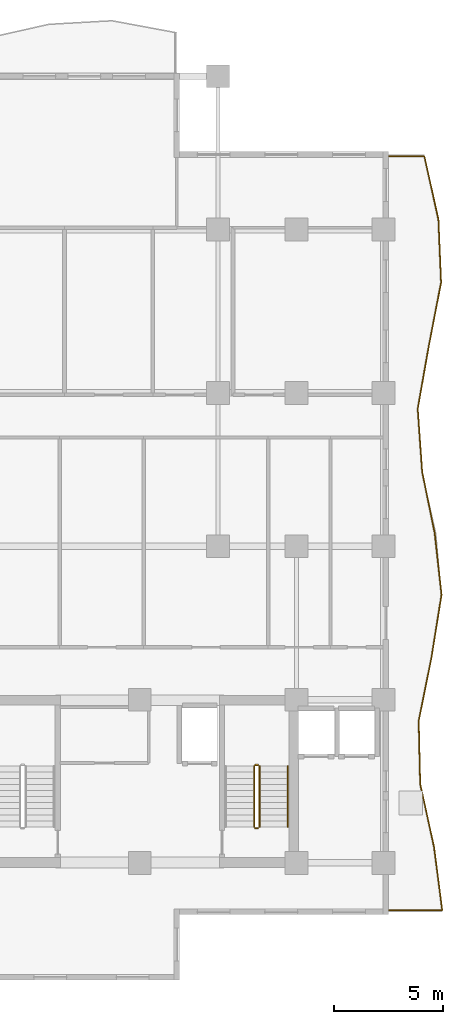
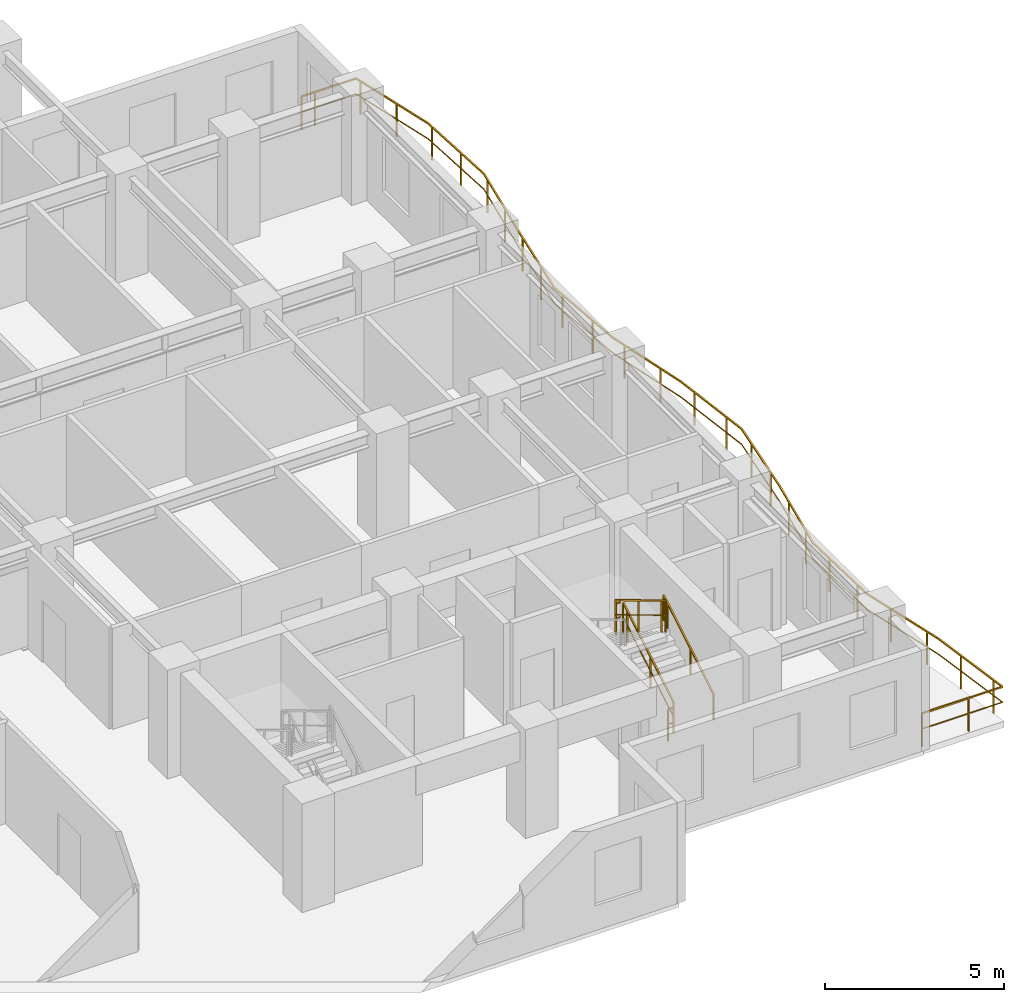
# One storey, part 12 of 13: 6 railings.
"""IFC4 building model written with IfcOpenShell, lengths in metres."""

from ifc_helpers import new_model, si_unit, direction, frame, origin, origin_2d, place, context, subcontext, project, spatial, rectangle, extrude, material, type_object, element, save


model = new_model("IFC4")

# Units and contexts
model_context = context("Model", 3, precision=1e-05, world=origin(), true_north=direction((0.0, 1.0)))
body_context = subcontext(model_context, "Body", "Model", "MODEL_VIEW")
ifc_project = project(units=[si_unit("LENGTHUNIT", "METRE"), si_unit("AREAUNIT", "SQUARE_METRE"), si_unit("VOLUMEUNIT", "CUBIC_METRE"), si_unit("PLANEANGLEUNIT", "RADIAN"), si_unit("MASSUNIT", "GRAM", prefix="KILO")], contexts=[model_context])

# Site, building, storey
site_placement = place(None, origin())
site = spatial("IfcSite", under=ifc_project, at=site_placement, CompositionType="ELEMENT")
building_placement = place(site_placement, origin())
building = spatial("IfcBuilding", under=site, at=building_placement, Name="Kaliganga Portal Commons", CompositionType="ELEMENT")
storey_placement = place(building_placement, frame((0.0, 0.0, 173.5)))
storey = spatial("IfcBuildingStorey", under=building, at=storey_placement, Name="L44", CompositionType="ELEMENT", Elevation=173.5)

# Railings
ifc_material_1 = material(Name="Laminated Safety Glass and Stainless Steel 316", Category="steel")
railing_type_1 = type_object("IfcRailingType", Name="RLG-BAL-1150", PredefinedType="BALUSTRADE", material=ifc_material_1)
railing_1_placement = place(storey_placement, frame((54.50830078125, 4.879638671875, 0.0)))
element("IfcRailing", 1, at=railing_1_placement, inside=storey, type_object=railing_type_1, Name="Balcony Guardrail L44 balc_east", PredefinedType="BALUSTRADE", context=body_context, shape_type="SweptSolid", body=[
    extrude(rectangle(XDim=0.048095703125, YDim=0.048095703125, at=origin_2d()), frame((0.0, 0.0, 1.1259765625), z_axis=(0.99999999555, 9.4339622e-05, 0.0), x_axis=(-9.4339622e-05, 0.99999999555, 0.0)), (0.0, 0.0, 1.0), 2.587890625),
    extrude(rectangle(XDim=0.028076171875, YDim=0.028076171875, at=origin_2d()), frame((0.0, 0.0, 0.597900390625), z_axis=(0.99999999555, 9.4339622e-05, 0.0), x_axis=(-9.4339622e-05, 0.99999999555, 0.0)), (0.0, 0.0, 1.0), 2.587890625),
    extrude(rectangle(XDim=0.048095703125, YDim=0.048095703125, at=origin_2d()), frame((2.587890625, 0.000244140625, 1.1259765625), z_axis=(-0.128400459118, 0.991722401733, 0.0), x_axis=(-0.991722401733, -0.128400459118, 0.0)), (0.0, 0.0, 1.0), 2.92431640625),
    extrude(rectangle(XDim=0.028076171875, YDim=0.028076171875, at=origin_2d()), frame((2.587890625, 0.000244140625, 0.597900390625), z_axis=(-0.128400459118, 0.991722401733, 0.0), x_axis=(-0.991722401733, -0.128400459118, 0.0)), (0.0, 0.0, 1.0), 2.92431640625),
    extrude(rectangle(XDim=0.048095703125, YDim=0.048095703125, at=origin_2d()), frame((2.21240234375, 2.900390625, 1.1259765625), z_axis=(-0.214143216207, 0.976802274236, 0.0), x_axis=(-0.976802274236, -0.214143216207, 0.0)), (0.0, 0.0, 1.0), 2.96875),
    extrude(rectangle(XDim=0.028076171875, YDim=0.028076171875, at=origin_2d()), frame((2.21240234375, 2.900390625, 0.597900390625), z_axis=(-0.214143216207, 0.976802274236, 0.0), x_axis=(-0.976802274236, -0.214143216207, 0.0)), (0.0, 0.0, 1.0), 2.96875),
    extrude(rectangle(XDim=0.048095703125, YDim=0.048095703125, at=origin_2d()), frame((1.57666015625, 5.80029296875, 1.1259765625), z_axis=(-0.023396237328, 0.999726270576, 0.0), x_axis=(-0.999726270576, -0.023396237328, 0.0)), (0.0, 0.0, 1.0), 2.90087890625),
    extrude(rectangle(XDim=0.028076171875, YDim=0.028076171875, at=origin_2d()), frame((1.57666015625, 5.80029296875, 0.597900390625), z_axis=(-0.023396237328, 0.999726270576, 0.0), x_axis=(-0.999726270576, -0.023396237328, 0.0)), (0.0, 0.0, 1.0), 2.90087890625),
    extrude(rectangle(XDim=0.048095703125, YDim=0.048095703125, at=origin_2d()), frame((1.5087890625, 8.700439453125, 1.1259765625), z_axis=(0.197576058239, 0.980287560469, 0.0), x_axis=(-0.980287560469, 0.197576058239, 0.0)), (0.0, 0.0, 1.0), 2.958251953125),
    extrude(rectangle(XDim=0.028076171875, YDim=0.028076171875, at=origin_2d()), frame((1.5087890625, 8.700439453125, 0.597900390625), z_axis=(0.197576058239, 0.980287560469, 0.0), x_axis=(-0.980287560469, 0.197576058239, 0.0)), (0.0, 0.0, 1.0), 2.958251953125),
    extrude(rectangle(XDim=0.048095703125, YDim=0.048095703125, at=origin_2d()), frame((2.09326171875, 11.600341796875, 1.1259765625), z_axis=(0.158337716626, 0.987385014821, 0.0), x_axis=(-0.987385014821, 0.158337716626, 0.0)), (0.0, 0.0, 1.0), 2.934326171875),
    extrude(rectangle(XDim=0.028076171875, YDim=0.028076171875, at=origin_2d()), frame((2.09326171875, 11.600341796875, 0.597900390625), z_axis=(0.158337716626, 0.987385014821, 0.0), x_axis=(-0.987385014821, 0.158337716626, 0.0)), (0.0, 0.0, 1.0), 2.934326171875),
    extrude(rectangle(XDim=0.048095703125, YDim=0.048095703125, at=origin_2d()), frame((2.557861328125, 14.49755859375, 1.1259765625), z_axis=(-0.110799459341, 0.993842784252, 0.0), x_axis=(-0.993842784252, -0.110799459341, 0.0)), (0.0, 0.0, 1.0), 2.84033203125),
    extrude(rectangle(XDim=0.028076171875, YDim=0.028076171875, at=origin_2d()), frame((2.557861328125, 14.49755859375, 0.597900390625), z_axis=(-0.110799459341, 0.993842784252, 0.0), x_axis=(-0.993842784252, -0.110799459341, 0.0)), (0.0, 0.0, 1.0), 2.84033203125),
    extrude(rectangle(XDim=0.048095703125, YDim=0.048095703125, at=origin_2d()), frame((2.2431640625, 17.3203125, 1.1259765625), z_axis=(-0.20033887783, 0.979726662917, 0.0), x_axis=(-0.979726662917, -0.20033887783, 0.0)), (0.0, 0.0, 1.0), 2.87841796875),
    extrude(rectangle(XDim=0.028076171875, YDim=0.028076171875, at=origin_2d()), frame((2.2431640625, 17.3203125, 0.597900390625), z_axis=(-0.20033887783, 0.979726662917, 0.0), x_axis=(-0.979726662917, -0.20033887783, 0.0)), (0.0, 0.0, 1.0), 2.87841796875),
    extrude(rectangle(XDim=0.048095703125, YDim=0.048095703125, at=origin_2d()), frame((1.66650390625, 20.140380859375, 1.1259765625), z_axis=(-0.069784836878, 0.997562066511, 0.0), x_axis=(-0.997562066511, -0.069784836878, 0.0)), (0.0, 0.0, 1.0), 2.9072265625),
    extrude(rectangle(XDim=0.028076171875, YDim=0.028076171875, at=origin_2d()), frame((1.66650390625, 20.140380859375, 0.597900390625), z_axis=(-0.069784836878, 0.997562066511, 0.0), x_axis=(-0.997562066511, -0.069784836878, 0.0)), (0.0, 0.0, 1.0), 2.9072265625),
    extrude(rectangle(XDim=0.048095703125, YDim=0.048095703125, at=origin_2d()), frame((1.463623046875, 23.04052734375, 1.1259765625), z_axis=(0.173695468157, 0.984799413252, 0.0), x_axis=(-0.984799413252, 0.173695468157, 0.0)), (0.0, 0.0, 1.0), 2.944580078125),
    extrude(rectangle(XDim=0.028076171875, YDim=0.028076171875, at=origin_2d()), frame((1.463623046875, 23.04052734375, 0.597900390625), z_axis=(0.173695468157, 0.984799413252, 0.0), x_axis=(-0.984799413252, 0.173695468157, 0.0)), (0.0, 0.0, 1.0), 2.944580078125),
    extrude(rectangle(XDim=0.048095703125, YDim=0.048095703125, at=origin_2d()), frame((1.97509765625, 25.9404296875, 1.1259765625), z_axis=(0.190088720268, 0.981766916547, 0.0), x_axis=(-0.981766916547, 0.190088720268, 0.0)), (0.0, 0.0, 1.0), 2.9541015625),
    extrude(rectangle(XDim=0.028076171875, YDim=0.028076171875, at=origin_2d()), frame((1.97509765625, 25.9404296875, 0.597900390625), z_axis=(0.190088720268, 0.981766916547, 0.0), x_axis=(-0.981766916547, 0.190088720268, 0.0)), (0.0, 0.0, 1.0), 2.9541015625),
    extrude(rectangle(XDim=0.048095703125, YDim=0.048095703125, at=origin_2d()), frame((2.53662109375, 28.840576171875, 1.1259765625), z_axis=(-0.0421413488, 0.999111658786, 0.0), x_axis=(-0.999111658786, -0.0421413488, 0.0)), (0.0, 0.0, 1.0), 2.902587890625),
    extrude(rectangle(XDim=0.028076171875, YDim=0.028076171875, at=origin_2d()), frame((2.53662109375, 28.840576171875, 0.597900390625), z_axis=(-0.0421413488, 0.999111658786, 0.0), x_axis=(-0.999111658786, -0.0421413488, 0.0)), (0.0, 0.0, 1.0), 2.902587890625),
    extrude(rectangle(XDim=0.048095703125, YDim=0.048095703125, at=origin_2d()), frame((2.414306640625, 31.740478515625, 1.1259765625), z_axis=(-0.217904744136, 0.975970041796, 0.0), x_axis=(-0.975970041796, -0.217904744136, 0.0)), (0.0, 0.0, 1.0), 2.97119140625),
    extrude(rectangle(XDim=0.028076171875, YDim=0.028076171875, at=origin_2d()), frame((2.414306640625, 31.740478515625, 0.597900390625), z_axis=(-0.217904744136, 0.975970041796, 0.0), x_axis=(-0.975970041796, -0.217904744136, 0.0)), (0.0, 0.0, 1.0), 2.97119140625),
    extrude(rectangle(XDim=0.048095703125, YDim=0.048095703125, at=origin_2d()), frame((1.766845703125, 34.640380859375, 1.1259765625), z_axis=(-0.999999961813, 0.000276357596, 0.0), x_axis=(-0.000276357596, -0.999999961813, 0.0)), (0.0, 0.0, 1.0), 1.766845703125),
    extrude(rectangle(XDim=0.028076171875, YDim=0.028076171875, at=origin_2d()), frame((1.766845703125, 34.640380859375, 0.597900390625), z_axis=(-0.999999961813, 0.000276357596, 0.0), x_axis=(-0.000276357596, -0.999999961813, 0.0)), (0.0, 0.0, 1.0), 1.766845703125),
    extrude(rectangle(XDim=0.0419921875, YDim=0.0419921875, at=origin_2d()), origin(), (0.0, 0.0, 1.0), 1.101806640625),
    extrude(rectangle(XDim=0.0419921875, YDim=0.0419921875, at=origin_2d()), frame((1.5, 0.000244140625, 0.0)), (0.0, 0.0, 1.0), 1.101806640625),
    extrude(rectangle(XDim=0.0419921875, YDim=0.0419921875, at=origin_2d()), frame((2.534912109375, 0.408935546875, 0.0)), (0.0, 0.0, 1.0), 1.101806640625),
    extrude(rectangle(XDim=0.0419921875, YDim=0.0419921875, at=origin_2d()), frame((2.34228515625, 1.896484375, 0.0)), (0.0, 0.0, 1.0), 1.101806640625),
    extrude(rectangle(XDim=0.0419921875, YDim=0.0419921875, at=origin_2d()), frame((2.10791015625, 3.376953125, 0.0)), (0.0, 0.0, 1.0), 1.101806640625),
    extrude(rectangle(XDim=0.0419921875, YDim=0.0419921875, at=origin_2d()), frame((1.78662109375, 4.842041015625, 0.0)), (0.0, 0.0, 1.0), 1.101806640625),
    extrude(rectangle(XDim=0.0419921875, YDim=0.0419921875, at=origin_2d()), frame((1.564453125, 6.319091796875, 0.0)), (0.0, 0.0, 1.0), 1.101806640625),
    extrude(rectangle(XDim=0.0419921875, YDim=0.0419921875, at=origin_2d()), frame((1.529541015625, 7.818603515625, 0.0)), (0.0, 0.0, 1.0), 1.101806640625),
    extrude(rectangle(XDim=0.0419921875, YDim=0.0419921875, at=origin_2d()), frame((1.630859375, 9.306396484375, 0.0)), (0.0, 0.0, 1.0), 1.101806640625),
    extrude(rectangle(XDim=0.0419921875, YDim=0.0419921875, at=origin_2d()), frame((1.92724609375, 10.776611328125, 0.0)), (0.0, 0.0, 1.0), 1.101806640625),
    extrude(rectangle(XDim=0.0419921875, YDim=0.0419921875, at=origin_2d()), frame((2.19775390625, 12.251953125, 0.0)), (0.0, 0.0, 1.0), 1.101806640625),
    extrude(rectangle(XDim=0.0419921875, YDim=0.0419921875, at=origin_2d()), frame((2.435302734375, 13.73291015625, 0.0)), (0.0, 0.0, 1.0), 1.101806640625),
    extrude(rectangle(XDim=0.0419921875, YDim=0.0419921875, at=origin_2d()), frame((2.4775390625, 15.21875, 0.0)), (0.0, 0.0, 1.0), 1.101806640625),
    extrude(rectangle(XDim=0.0419921875, YDim=0.0419921875, at=origin_2d()), frame((2.311279296875, 16.70947265625, 0.0)), (0.0, 0.0, 1.0), 1.101806640625),
    extrude(rectangle(XDim=0.0419921875, YDim=0.0419921875, at=origin_2d()), frame((2.065673828125, 18.187744140625, 0.0)), (0.0, 0.0, 1.0), 1.101806640625),
    extrude(rectangle(XDim=0.0419921875, YDim=0.0419921875, at=origin_2d()), frame((1.765380859375, 19.6572265625, 0.0)), (0.0, 0.0, 1.0), 1.101806640625),
    extrude(rectangle(XDim=0.0419921875, YDim=0.0419921875, at=origin_2d()), frame((1.59619140625, 21.144775390625, 0.0)), (0.0, 0.0, 1.0), 1.101806640625),
    extrude(rectangle(XDim=0.0419921875, YDim=0.0419921875, at=origin_2d()), frame((1.491455078125, 22.64111328125, 0.0)), (0.0, 0.0, 1.0), 1.101806640625),
    extrude(rectangle(XDim=0.0419921875, YDim=0.0419921875, at=origin_2d()), frame((1.654541015625, 24.12353515625, 0.0)), (0.0, 0.0, 1.0), 1.101806640625),
    extrude(rectangle(XDim=0.0419921875, YDim=0.0419921875, at=origin_2d()), frame((1.915283203125, 25.6005859375, 0.0)), (0.0, 0.0, 1.0), 1.101806640625),
    extrude(rectangle(XDim=0.0419921875, YDim=0.0419921875, at=origin_2d()), frame((2.194580078125, 27.074462890625, 0.0)), (0.0, 0.0, 1.0), 1.101806640625),
    extrude(rectangle(XDim=0.0419921875, YDim=0.0419921875, at=origin_2d()), frame((2.479736328125, 28.547119140625, 0.0)), (0.0, 0.0, 1.0), 1.101806640625),
    extrude(rectangle(XDim=0.0419921875, YDim=0.0419921875, at=origin_2d()), frame((2.486083984375, 30.04052734375, 0.0)), (0.0, 0.0, 1.0), 1.101806640625),
    extrude(rectangle(XDim=0.0419921875, YDim=0.0419921875, at=origin_2d()), frame((2.4228515625, 31.539306640625, 0.0)), (0.0, 0.0, 1.0), 1.101806640625),
    extrude(rectangle(XDim=0.0419921875, YDim=0.0419921875, at=origin_2d()), frame((2.13134765625, 33.0078125, 0.0)), (0.0, 0.0, 1.0), 1.101806640625),
    extrude(rectangle(XDim=0.0419921875, YDim=0.0419921875, at=origin_2d()), frame((1.804443359375, 34.4716796875, 0.0)), (0.0, 0.0, 1.0), 1.101806640625),
    extrude(rectangle(XDim=0.0419921875, YDim=0.0419921875, at=origin_2d()), frame((0.439697265625, 34.640869140625, 0.0)), (0.0, 0.0, 1.0), 1.101806640625),
    extrude(rectangle(XDim=0.0419921875, YDim=0.0419921875, at=origin_2d()), frame((0.0, 34.640869140625, 0.0)), (0.0, 0.0, 1.0), 1.101806640625),
])
ifc_material_2 = material(Name="Galvanized Painted Steel Balustrade", Category="steel")
railing_type_2 = type_object("IfcRailingType", Name="RLG-STAIR-GRD", PredefinedType="GUARDRAIL", material=ifc_material_2)
railing_2_placement = place(storey_placement, frame((48.699951171875, 8.699951171875, 0.168212890625)))
element("IfcRailing", 2, at=railing_2_placement, inside=storey, type_object=railing_type_2, Name="L44 ST-B2 stair guard 1", PredefinedType="GUARDRAIL", context=body_context, shape_type="SweptSolid", body=[
    extrude(rectangle(XDim=0.048095703125, YDim=0.048095703125, at=origin_2d()), frame((0.0, 0.0, 1.072021484375), z_axis=(0.0, 0.857242210791, 0.514913383045), x_axis=(-1.0, 0.0, 0.0)), (0.0, 0.0, 1.0), 3.266357421875),
    extrude(rectangle(XDim=0.028076171875, YDim=0.028076171875, at=origin_2d()), frame((0.0, 0.0, 0.572021484375), z_axis=(0.0, 0.857242210791, 0.514913383045), x_axis=(-1.0, 0.0, 0.0)), (0.0, 0.0, 1.0), 3.266357421875),
    extrude(rectangle(XDim=0.0419921875, YDim=0.0419921875, at=origin_2d()), origin(), (0.0, 0.0, 1.0), 1.052001953125),
    extrude(rectangle(XDim=0.0419921875, YDim=0.0419921875, at=origin_2d()), frame((0.0, 1.285888671875, 0.7724609375)), (0.0, 0.0, 1.0), 1.052001953125),
    extrude(rectangle(XDim=0.0419921875, YDim=0.0419921875, at=origin_2d()), frame((0.0, 2.57177734375, 1.544677734375)), (0.0, 0.0, 1.0), 1.052001953125),
    extrude(rectangle(XDim=0.0419921875, YDim=0.0419921875, at=origin_2d()), frame((0.0, 2.800048828125, 1.681884765625)), (0.0, 0.0, 1.0), 1.052001953125),
])
railing_3_placement = place(storey_placement, frame((48.64990234375, 11.550048828125, 1.85009765625)))
element("IfcRailing", 3, at=railing_3_placement, inside=storey, type_object=railing_type_2, Name="L44 ST-B2 stair guard 2", PredefinedType="GUARDRAIL", context=body_context, shape_type="SweptSolid", body=[
    extrude(rectangle(XDim=0.048095703125, YDim=0.048095703125, at=origin_2d()), frame((0.0, 0.0, 1.076171875), z_axis=(-1.0, 0.0, 0.0), x_axis=(0.0, -1.0, 0.0)), (0.0, 0.0, 1.0), 0.14990234375),
    extrude(rectangle(XDim=0.028076171875, YDim=0.028076171875, at=origin_2d()), frame((0.0, 0.0, 0.572021484375), z_axis=(-1.0, 0.0, 0.0), x_axis=(0.0, -1.0, 0.0)), (0.0, 0.0, 1.0), 0.14990234375),
    extrude(rectangle(XDim=0.0419921875, YDim=0.0419921875, at=origin_2d()), frame((-0.14990234375, 0.0, 0.0)), (0.0, 0.0, 1.0), 1.052001953125),
])
railing_4_placement = place(storey_placement, frame((48.449951171875, 11.5, 2.01806640625)))
element("IfcRailing", 4, at=railing_4_placement, inside=storey, type_object=railing_type_2, Name="L44 ST-B2 stair guard 3", PredefinedType="GUARDRAIL", context=body_context, shape_type="SweptSolid", body=[
    extrude(rectangle(XDim=0.048095703125, YDim=0.048095703125, at=origin_2d()), frame((0.0, 0.0, 1.072021484375), z_axis=(0.0, -0.857242210791, 0.514913383045), x_axis=(1.0, 0.0, 0.0)), (0.0, 0.0, 1.0), 3.266357421875),
    extrude(rectangle(XDim=0.028076171875, YDim=0.028076171875, at=origin_2d()), frame((0.0, 0.0, 0.572021484375), z_axis=(0.0, -0.857242210791, 0.514913383045), x_axis=(1.0, 0.0, 0.0)), (0.0, 0.0, 1.0), 3.266357421875),
    extrude(rectangle(XDim=0.0419921875, YDim=0.0419921875, at=origin_2d()), origin(), (0.0, 0.0, 1.0), 1.052001953125),
    extrude(rectangle(XDim=0.0419921875, YDim=0.0419921875, at=origin_2d()), frame((0.0, -1.285888671875, 0.7724609375)), (0.0, 0.0, 1.0), 1.052001953125),
    extrude(rectangle(XDim=0.0419921875, YDim=0.0419921875, at=origin_2d()), frame((0.0, -2.57177734375, 1.544677734375)), (0.0, 0.0, 1.0), 1.052001953125),
    extrude(rectangle(XDim=0.0419921875, YDim=0.0419921875, at=origin_2d()), frame((0.0, -2.800048828125, 1.681884765625)), (0.0, 0.0, 1.0), 1.052001953125),
])
railing_5_placement = place(storey_placement, frame((48.64990234375, 8.64990234375, 0.0)))
element("IfcRailing", 5, at=railing_5_placement, inside=storey, type_object=railing_type_2, Name="L44 ST-B2 stair guard 4", PredefinedType="GUARDRAIL", context=body_context, shape_type="SweptSolid", body=[
    extrude(rectangle(XDim=0.048095703125, YDim=0.048095703125, at=origin_2d()), frame((0.0, 0.0, 1.076171875), z_axis=(-1.0, 0.0, 0.0), x_axis=(0.0, -1.0, 0.0)), (0.0, 0.0, 1.0), 0.14990234375),
    extrude(rectangle(XDim=0.028076171875, YDim=0.028076171875, at=origin_2d()), frame((0.0, 0.0, 0.572021484375), z_axis=(-1.0, 0.0, 0.0), x_axis=(0.0, -1.0, 0.0)), (0.0, 0.0, 1.0), 0.14990234375),
    extrude(rectangle(XDim=0.0419921875, YDim=0.0419921875, at=origin_2d()), frame((-0.14990234375, 0.0, 0.0)), (0.0, 0.0, 1.0), 1.052001953125),
])
ifc_material_3 = material(Name="Brushed Stainless Steel 316", Category="steel")
railing_type_3 = type_object("IfcRailingType", Name="RLG-STAIR-HR", PredefinedType="HANDRAIL", material=ifc_material_3)
railing_6_placement = place(storey_placement, frame((50.0, 8.699951171875, 0.168212890625)))
element("IfcRailing", 6, at=railing_6_placement, inside=storey, type_object=railing_type_3, Name="L44 ST-B2 stair handrail 1", PredefinedType="HANDRAIL", context=body_context, shape_type="SweptSolid", body=[
    extrude(rectangle(XDim=0.048095703125, YDim=0.048095703125, at=origin_2d()), frame((0.0, 0.0, 0.871826171875), z_axis=(0.0, 0.857242210791, 0.514913383045), x_axis=(-1.0, 0.0, 0.0)), (0.0, 0.0, 1.0), 3.266357421875),
    extrude(rectangle(XDim=0.0419921875, YDim=0.0419921875, at=origin_2d()), origin(), (0.0, 0.0, 1.0), 0.851806640625),
    extrude(rectangle(XDim=0.0419921875, YDim=0.0419921875, at=origin_2d()), frame((0.0, 1.285888671875, 0.7724609375)), (0.0, 0.0, 1.0), 0.851806640625),
    extrude(rectangle(XDim=0.0419921875, YDim=0.0419921875, at=origin_2d()), frame((0.0, 2.57177734375, 1.544677734375)), (0.0, 0.0, 1.0), 0.851806640625),
    extrude(rectangle(XDim=0.0419921875, YDim=0.0419921875, at=origin_2d()), frame((0.0, 2.800048828125, 1.681884765625)), (0.0, 0.0, 1.0), 0.851806640625),
])

save(model, "model.ifc")
